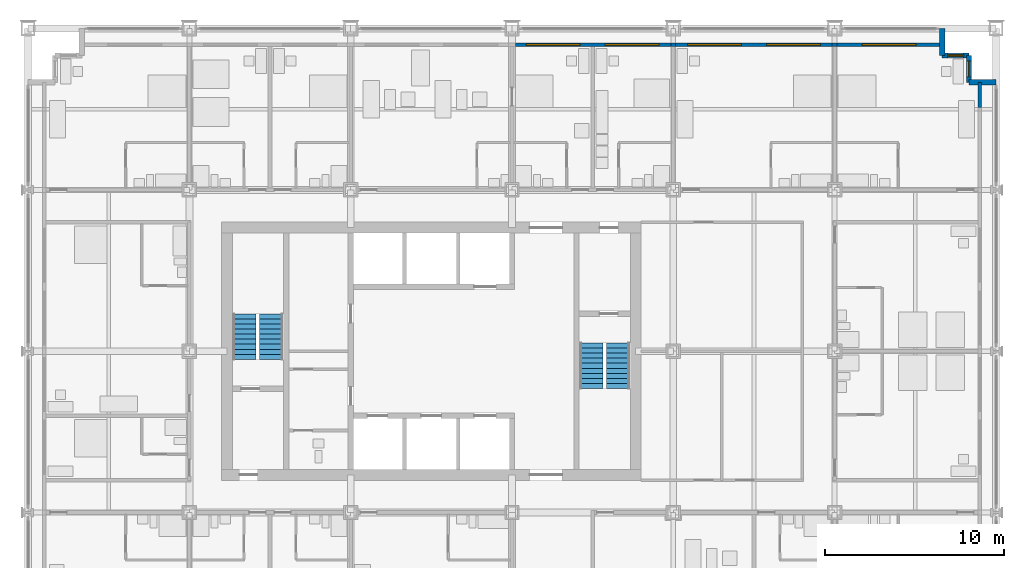
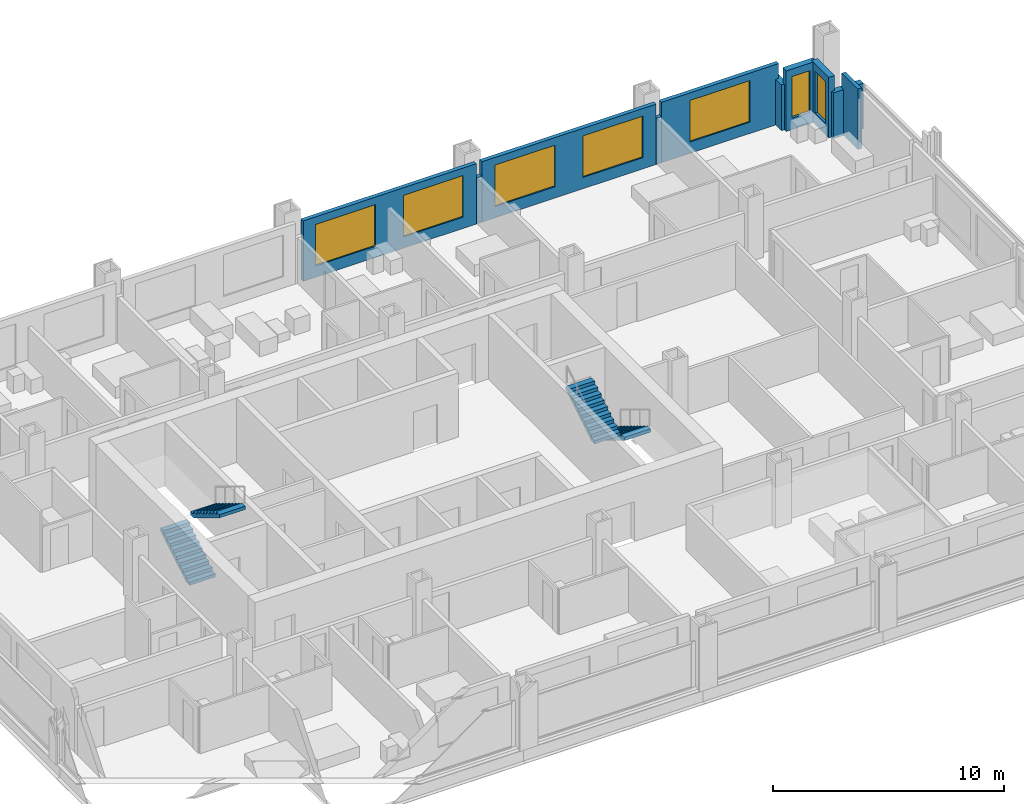
# One storey, part 15 of 18: 10 walls, 7 windows, 4 stair flights, 7 openings, 2 elements without a shape of their own.
"""IFC4 building model written with IfcOpenShell, lengths in metres."""

from ifc_helpers import new_model, si_unit, direction, frame, frame_2d, origin, place, context, subcontext, project, spatial, polyline, rectangle, outline, extrude, material, layer, layer_set, type_object, element, fill, aggregate, save


model = new_model("IFC4")

# Units and contexts
model_context = context("Model", 3, precision=1e-05, world=origin(), true_north=direction((0.0, 1.0)))
body_context = subcontext(model_context, "Body", "Model", "MODEL_VIEW")
ifc_project = project(units=[si_unit("LENGTHUNIT", "METRE"), si_unit("AREAUNIT", "SQUARE_METRE"), si_unit("VOLUMEUNIT", "CUBIC_METRE"), si_unit("PLANEANGLEUNIT", "RADIAN"), si_unit("MASSUNIT", "GRAM", prefix="KILO")], contexts=[model_context])

# Site, building, storey
site_placement = place(None, origin())
site = spatial("IfcSite", under=ifc_project, at=site_placement, CompositionType="ELEMENT")
building_placement = place(site_placement, origin())
building = spatial("IfcBuilding", under=site, at=building_placement, Name="Loomwork Tower", CompositionType="ELEMENT")
storey_placement = place(building_placement, frame((0.0, 0.0, 31.39990234375)))
storey = spatial("IfcBuildingStorey", under=building, at=storey_placement, Name="L06", CompositionType="ELEMENT", Elevation=31.39990234375)

# Wall, openings, windows
ifc_material_1 = material(Name="Insulated steel stud wall with gypsum lining", Category="steel")
ifc_layer_1 = layer(ifc_material_1, 0.199951171875)
ifc_layer_set_1 = layer_set([ifc_layer_1], Name="Inner skin wall 200")
wall_type_1 = type_object("IfcWallType", Name="Inner skin wall 200", PredefinedType="SOLIDWALL", material=ifc_layer_set_1)
wall_1_placement = place(storey_placement, frame((27.19384765625, 35.10009765625, 0.0), z_axis=(0.0, 0.0, 1.0), x_axis=(1.0, 0.0, 0.0)))
wall_1 = element("IfcWall", 1, at=wall_1_placement, inside=storey, type_object=wall_type_1, Name="Inner skin wall N bay 7", PredefinedType="SOLIDWALL", context=body_context, shape_type="SweptSolid", body=[
    extrude(rectangle(XDim=8.670654296875, YDim=0.199951171875, at=frame_2d((4.33544921875, 0.0))), origin(), (0.0, 0.0, 1.0), 3.2001953125),
])
opening_1_placement = place(wall_1_placement, frame((0.606201171875, 0.0, 0.60009765625)))
opening_1 = element("IfcOpeningElement", 2, at=opening_1_placement, cuts=wall_1, Name="Opening CH1", PredefinedType="OPENING", context=body_context, shape_type="SweptSolid", body=[
    extrude(rectangle(XDim=3.0, YDim=2.199951171875, at=frame_2d((1.5, 1.10009765625))), frame((0.0, 0.10986328125, 0.0), z_axis=(0.0, -1.0, 0.0), x_axis=(1.0, 0.0, 0.0)), (0.0, 0.0, 1.0), 0.219970703125),
])
opening_2_placement = place(wall_1_placement, frame((5.006103515625, 0.0, 0.60009765625)))
opening_2 = element("IfcOpeningElement", 3, at=opening_2_placement, cuts=wall_1, Name="Opening CH1", PredefinedType="OPENING", context=body_context, shape_type="SweptSolid", body=[
    extrude(rectangle(XDim=3.0, YDim=2.199951171875, at=frame_2d((1.5, 1.10009765625))), frame((0.0, 0.10986328125, 0.0), z_axis=(0.0, -1.0, 0.0), x_axis=(1.0, 0.0, 0.0)), (0.0, 0.0, 1.0), 0.219970703125),
])
ifc_material_2 = material(Name="Aluminium frame with clear insulated glass", Category="aluminium")
window_type_1 = type_object("IfcWindowType", Name="Chicago window 3000", PartitioningType="TRIPLE_PANEL_VERTICAL", PredefinedType="WINDOW", material=ifc_material_2)
window_1_placement = place(opening_1_placement, origin())
window_1 = element("IfcWindow", 4, at=window_1_placement, inside=storey, type_object=window_type_1, Name="Chicago window L06 bay 10", OverallHeight=2.199951171875, OverallWidth=3.0, PartitioningType="TRIPLE_PANEL_VERTICAL", PredefinedType="WINDOW", context=body_context, shape_type="SweptSolid", body=[
    extrude(rectangle(XDim=3.0, YDim=2.199951171875, at=frame_2d((1.5, 1.10009765625))), frame((0.0, 0.030029296875, 0.0), z_axis=(0.0, -1.0, 0.0), x_axis=(1.0, 0.0, 0.0)), (0.0, 0.0, 1.0), 0.06005859375),
])
fill(opening_1, window_1)
window_2_placement = place(opening_2_placement, origin())
window_2 = element("IfcWindow", 5, at=window_2_placement, inside=storey, type_object=window_type_1, Name="Chicago window L06 bay 10", OverallHeight=2.199951171875, OverallWidth=3.0, PartitioningType="TRIPLE_PANEL_VERTICAL", PredefinedType="WINDOW", context=body_context, shape_type="SweptSolid", body=[
    extrude(rectangle(XDim=3.0, YDim=2.199951171875, at=frame_2d((1.5, 1.10009765625))), frame((0.0, 0.030029296875, 0.0), z_axis=(0.0, -1.0, 0.0), x_axis=(1.0, 0.0, 0.0)), (0.0, 0.0, 1.0), 0.06005859375),
])
fill(opening_2, window_2)

# Wall
wall_2_placement = place(storey_placement, frame((35.864501953125, 35.10009765625, 0.0), z_axis=(0.0, 0.0, 1.0), x_axis=(1.0, 0.0, 0.0)))
element("IfcWall", 6, at=wall_2_placement, inside=storey, type_object=wall_type_1, Name="Inner skin wall N bay 8", PredefinedType="SOLIDWALL", context=body_context, shape_type="SweptSolid", body=[
    extrude(rectangle(XDim=0.27099609375, YDim=0.199951171875, at=frame_2d((0.135498046875, 0.0))), origin(), (0.0, 0.0, 1.0), 2.43798828125),
])

# Wall, openings, windows
wall_3_placement = place(storey_placement, frame((36.135498046875, 35.10009765625, 0.0), z_axis=(0.0, 0.0, 1.0), x_axis=(1.0, 0.0, 0.0)))
wall_3 = element("IfcWall", 7, at=wall_3_placement, inside=storey, type_object=wall_type_1, Name="Inner skin wall N bay 9", PredefinedType="SOLIDWALL", context=body_context, shape_type="SweptSolid", body=[
    extrude(rectangle(XDim=8.72900390625, YDim=0.199951171875, at=frame_2d((4.364501953125, 0.0))), origin(), (0.0, 0.0, 1.0), 3.2001953125),
])
opening_3_placement = place(wall_3_placement, frame((0.66455078125, 0.0, 0.60009765625)))
opening_3 = element("IfcOpeningElement", 8, at=opening_3_placement, cuts=wall_3, Name="Opening CH1", PredefinedType="OPENING", context=body_context, shape_type="SweptSolid", body=[
    extrude(rectangle(XDim=3.0, YDim=2.199951171875, at=frame_2d((1.5, 1.10009765625))), frame((0.0, 0.10986328125, 0.0), z_axis=(0.0, -1.0, 0.0), x_axis=(1.0, 0.0, 0.0)), (0.0, 0.0, 1.0), 0.219970703125),
])
opening_4_placement = place(wall_3_placement, frame((5.064697265625, 0.0, 0.60009765625)))
opening_4 = element("IfcOpeningElement", 9, at=opening_4_placement, cuts=wall_3, Name="Opening CH1", PredefinedType="OPENING", context=body_context, shape_type="SweptSolid", body=[
    extrude(rectangle(XDim=3.0, YDim=2.199951171875, at=frame_2d((1.5, 1.10009765625))), frame((0.0, 0.10986328125, 0.0), z_axis=(0.0, -1.0, 0.0), x_axis=(1.0, 0.0, 0.0)), (0.0, 0.0, 1.0), 0.219970703125),
])
window_3_placement = place(opening_3_placement, origin())
window_3 = element("IfcWindow", 10, at=window_3_placement, inside=storey, type_object=window_type_1, Name="Chicago window L06 bay 11", OverallHeight=2.199951171875, OverallWidth=3.0, PartitioningType="TRIPLE_PANEL_VERTICAL", PredefinedType="WINDOW", context=body_context, shape_type="SweptSolid", body=[
    extrude(rectangle(XDim=3.0, YDim=2.199951171875, at=frame_2d((1.5, 1.10009765625))), frame((0.0, 0.030029296875, 0.0), z_axis=(0.0, -1.0, 0.0), x_axis=(1.0, 0.0, 0.0)), (0.0, 0.0, 1.0), 0.06005859375),
])
fill(opening_3, window_3)
window_4_placement = place(opening_4_placement, origin())
window_4 = element("IfcWindow", 11, at=window_4_placement, inside=storey, type_object=window_type_1, Name="Chicago window L06 bay 11", OverallHeight=2.199951171875, OverallWidth=3.0, PartitioningType="TRIPLE_PANEL_VERTICAL", PredefinedType="WINDOW", context=body_context, shape_type="SweptSolid", body=[
    extrude(rectangle(XDim=3.0, YDim=2.199951171875, at=frame_2d((1.5, 1.10009765625))), frame((0.0, 0.030029296875, 0.0), z_axis=(0.0, -1.0, 0.0), x_axis=(1.0, 0.0, 0.0)), (0.0, 0.0, 1.0), 0.06005859375),
])
fill(opening_4, window_4)

# Wall
wall_4_placement = place(storey_placement, frame((44.864501953125, 35.10009765625, 0.0), z_axis=(0.0, 0.0, 1.0), x_axis=(1.0, 0.0, 0.0)))
element("IfcWall", 12, at=wall_4_placement, inside=storey, type_object=wall_type_1, Name="Inner skin wall N bay 10", PredefinedType="SOLIDWALL", context=body_context, shape_type="SweptSolid", body=[
    extrude(rectangle(XDim=0.27099609375, YDim=0.199951171875, at=frame_2d((0.135498046875, 0.0))), origin(), (0.0, 0.0, 1.0), 2.43798828125),
])

# Wall, opening, window
wall_5_placement = place(storey_placement, frame((45.135498046875, 35.10009765625, 0.0), z_axis=(0.0, 0.0, 1.0), x_axis=(1.0, 0.0, 0.0)))
wall_5 = element("IfcWall", 13, at=wall_5_placement, inside=storey, type_object=wall_type_1, Name="Inner skin wall N bay 11", PredefinedType="SOLIDWALL", context=body_context, shape_type="SweptSolid", body=[
    extrude(rectangle(XDim=5.864501953125, YDim=0.199951171875, at=frame_2d((2.93212890625, 0.0))), origin(), (0.0, 0.0, 1.0), 3.2001953125),
])
opening_5_placement = place(wall_5_placement, frame((1.41455078125, 0.0, 0.60009765625)))
opening_5 = element("IfcOpeningElement", 14, at=opening_5_placement, cuts=wall_5, Name="Opening CH1", PredefinedType="OPENING", context=body_context, shape_type="SweptSolid", body=[
    extrude(rectangle(XDim=3.0, YDim=2.199951171875, at=frame_2d((1.5, 1.10009765625))), frame((0.0, 0.10986328125, 0.0), z_axis=(0.0, -1.0, 0.0), x_axis=(1.0, 0.0, 0.0)), (0.0, 0.0, 1.0), 0.219970703125),
])
window_5_placement = place(opening_5_placement, origin())
window_5 = element("IfcWindow", 15, at=window_5_placement, inside=storey, type_object=window_type_1, Name="Chicago window L06 bay 12", OverallHeight=2.199951171875, OverallWidth=3.0, PartitioningType="TRIPLE_PANEL_VERTICAL", PredefinedType="WINDOW", context=body_context, shape_type="SweptSolid", body=[
    extrude(rectangle(XDim=3.0, YDim=2.199951171875, at=frame_2d((1.5, 1.10009765625))), frame((0.0, 0.030029296875, 0.0), z_axis=(0.0, -1.0, 0.0), x_axis=(1.0, 0.0, 0.0)), (0.0, 0.0, 1.0), 0.06005859375),
])
fill(opening_5, window_5)

# Walls
wall_6_placement = place(storey_placement, frame((53.10009765625, 31.607421875, 0.0), z_axis=(0.0, 0.0, 1.0), x_axis=(0.0, 1.0, 0.0)))
element("IfcWall", 16, at=wall_6_placement, inside=storey, type_object=wall_type_1, Name="Inner skin wall E bay 11", PredefinedType="SOLIDWALL", context=body_context, shape_type="SweptSolid", body=[
    extrude(rectangle(XDim=1.392578125, YDim=0.199951171875, at=frame_2d((0.6962890625, 0.0))), origin(), (0.0, 0.0, 1.0), 3.2001953125),
])
ifc_material_3 = material(Name="Limestone on concrete masonry", Category="masonry")
ifc_layer_2 = layer(ifc_material_3, 0.300048828125)
ifc_layer_set_2 = layer_set([ifc_layer_2], Name="Limestone corner wall 300")
wall_type_2 = type_object("IfcWallType", Name="Limestone corner wall 300", PredefinedType="SOLIDWALL", material=ifc_layer_set_2)
wall_7_placement = place(storey_placement, frame((54.0, 33.0, 0.0), z_axis=(0.0, 0.0, 1.0), x_axis=(-1.0, 0.0, 0.0)))
element("IfcWall", 17, at=wall_7_placement, inside=storey, type_object=wall_type_2, Name="Stone corner wall NE 1", PredefinedType="SOLIDWALL", context=body_context, shape_type="SweptSolid", body=[
    extrude(rectangle(XDim=1.5, YDim=0.300048828125, at=frame_2d((0.75, 0.0))), origin(), (0.0, 0.0, 1.0), 2.420166015625),
])

# Wall, opening, window
wall_8_placement = place(storey_placement, frame((52.5, 33.0, 0.0), z_axis=(0.0, 0.0, 1.0), x_axis=(0.0, 1.0, 0.0)))
wall_8 = element("IfcWall", 18, at=wall_8_placement, inside=storey, type_object=wall_type_2, Name="Stone corner wall NE 2", PredefinedType="SOLIDWALL", context=body_context, shape_type="SweptSolid", body=[
    extrude(rectangle(XDim=1.5, YDim=0.300048828125, at=frame_2d((0.75, 0.0))), origin(), (0.0, 0.0, 1.0), 3.2001953125),
])
opening_6_placement = place(wall_8_placement, frame((0.300048828125, 0.0, 0.60009765625)))
opening_6 = element("IfcOpeningElement", 19, at=opening_6_placement, cuts=wall_8, Name="Opening CH2", PredefinedType="OPENING", context=body_context, shape_type="SweptSolid", body=[
    extrude(rectangle(XDim=0.89990234375, YDim=2.199951171875, at=frame_2d((0.449951171875, 1.10009765625))), frame((0.0, 0.159912109375, 0.0), z_axis=(0.0, -1.0, 0.0), x_axis=(1.0, 0.0, 0.0)), (0.0, 0.0, 1.0), 0.320068359375),
])
ifc_material_4 = material(Name="Aluminium frame with clear insulated glass", Category="aluminium")
window_type_2 = type_object("IfcWindowType", Name="Corner window 900", PartitioningType="SINGLE_PANEL", PredefinedType="WINDOW", material=ifc_material_4)
window_6_placement = place(opening_6_placement, origin())
window_6 = element("IfcWindow", 20, at=window_6_placement, inside=storey, type_object=window_type_2, Name="Corner window NE", OverallHeight=2.199951171875, OverallWidth=0.89990234375, PartitioningType="SINGLE_PANEL", PredefinedType="WINDOW", context=body_context, shape_type="SweptSolid", body=[
    extrude(rectangle(XDim=0.89990234375, YDim=2.199951171875, at=frame_2d((0.449951171875, 1.10009765625))), frame((0.0, 0.030029296875, 0.0), z_axis=(0.0, -1.0, 0.0), x_axis=(1.0, 0.0, 0.0)), (0.0, 0.0, 1.0), 0.06005859375),
])
fill(opening_6, window_6)

wall_9_placement = place(storey_placement, frame((52.5, 34.5, 0.0), z_axis=(0.0, 0.0, 1.0), x_axis=(-1.0, 0.0, 0.0)))
wall_9 = element("IfcWall", 21, at=wall_9_placement, inside=storey, type_object=wall_type_2, Name="Stone corner wall NE 3", PredefinedType="SOLIDWALL", context=body_context, shape_type="SweptSolid", body=[
    extrude(rectangle(XDim=1.5, YDim=0.300048828125, at=frame_2d((0.75, 0.0))), origin(), (0.0, 0.0, 1.0), 3.2001953125),
])
opening_7_placement = place(wall_9_placement, frame((0.300048828125, 0.0, 0.60009765625)))
opening_7 = element("IfcOpeningElement", 22, at=opening_7_placement, cuts=wall_9, Name="Opening CH2", PredefinedType="OPENING", context=body_context, shape_type="SweptSolid", body=[
    extrude(rectangle(XDim=0.89990234375, YDim=2.199951171875, at=frame_2d((0.449951171875, 1.10009765625))), frame((0.0, 0.159912109375, 0.0), z_axis=(0.0, -1.0, 0.0), x_axis=(1.0, 0.0, 0.0)), (0.0, 0.0, 1.0), 0.320068359375),
])
window_7_placement = place(opening_7_placement, origin())
window_7 = element("IfcWindow", 23, at=window_7_placement, inside=storey, type_object=window_type_2, Name="Corner window NE", OverallHeight=2.199951171875, OverallWidth=0.89990234375, PartitioningType="SINGLE_PANEL", PredefinedType="WINDOW", context=body_context, shape_type="SweptSolid", body=[
    extrude(rectangle(XDim=0.89990234375, YDim=2.199951171875, at=frame_2d((0.449951171875, 1.10009765625))), frame((0.0, 0.030029296875, 0.0), z_axis=(0.0, -1.0, 0.0), x_axis=(1.0, 0.0, 0.0)), (0.0, 0.0, 1.0), 0.06005859375),
])
fill(opening_7, window_7)

# Wall
wall_10_placement = place(storey_placement, frame((51.0, 34.5, 0.0), z_axis=(0.0, 0.0, 1.0), x_axis=(0.0, 1.0, 0.0)))
element("IfcWall", 24, at=wall_10_placement, inside=storey, type_object=wall_type_2, Name="Stone corner wall NE 4", PredefinedType="SOLIDWALL", context=body_context, shape_type="SweptSolid", body=[
    extrude(rectangle(XDim=1.5, YDim=0.300048828125, at=frame_2d((0.75, 0.0))), origin(), (0.0, 0.0, 1.0), 2.420166015625),
])

# Stair, stair flights
ifc_material_5 = material(Name="Concrete 5000 psi (34 MPa) precast stair", Category="concrete")
stair_type_1 = type_object("IfcStairType", Name="Stair ST-A 20 risers 2850 wide", PredefinedType="HALF_TURN_STAIR", material=ifc_material_5)
stair_1_placement = place(storey_placement, origin())
stair_1 = element("IfcStair", 25, at=stair_1_placement, inside=storey, type_object=stair_type_1, Name="Stair A L06", PredefinedType="HALF_TURN_STAIR")
ifc_material_6 = material(Name="Concrete 5000 psi (34 MPa) precast stair", Category="concrete")
stair_flight_type_1 = type_object("IfcStairFlightType", Name="Stair flight ST-A 10 risers 1300 wide", PredefinedType="STRAIGHT", material=ifc_material_6)
stair_flight_1_placement = place(storey_placement, frame((12.074951171875, 17.550048828125, 0.0), z_axis=(0.0, 0.0, 1.0), x_axis=(0.0, 1.0, 0.0)))
stair_flight_1 = element("IfcStairFlight", 26, at=stair_flight_1_placement, type_object=stair_flight_type_1, Name="ST-A flight 1", NumberOfRisers=10, NumberOfTreads=9, PredefinedType="STRAIGHT", RiserHeight=0.17, TreadLength=0.28, context=body_context, shape_type="SweptSolid", body=[
    extrude(outline(polyline([(0.0, 0.0), (0.0, 0.169921875), (0.280029296875, 0.169921875), (0.280029296875, 0.340087890625), (0.56005859375, 0.340087890625), (0.56005859375, 0.510009765625), (0.840087890625, 0.510009765625), (0.840087890625, 0.679931640625), (1.1201171875, 0.679931640625), (1.1201171875, 0.85009765625), (1.39990234375, 0.85009765625), (1.39990234375, 1.02001953125), (1.679931640625, 1.02001953125), (1.679931640625, 1.18994140625), (1.9599609375, 1.18994140625), (1.9599609375, 1.360107421875), (2.239990234375, 1.360107421875), (2.239990234375, 1.530029296875), (2.52001953125, 1.530029296875), (2.52001953125, 1.699951171875), (2.52001953125, 1.354736328125), (0.288818359375, 0.0), (0.0, 0.0)])), frame((0.0, 0.64990234375, 0.0), z_axis=(0.0, -1.0, 0.0), x_axis=(1.0, 0.0, 0.0)), (0.0, 0.0, 1.0), 1.300048828125),
])
stair_flight_2_placement = place(storey_placement, frame((13.574951171875, 20.070068359375, 1.7001953125), z_axis=(0.0, 0.0, 1.0), x_axis=(0.0, -1.0, 0.0)))
stair_flight_2 = element("IfcStairFlight", 27, at=stair_flight_2_placement, type_object=stair_flight_type_1, Name="ST-A flight 2", NumberOfRisers=10, NumberOfTreads=9, PredefinedType="STRAIGHT", RiserHeight=0.17, TreadLength=0.28, context=body_context, shape_type="SweptSolid", body=[
    extrude(outline(polyline([(0.0, 0.0), (0.0, 0.169921875), (0.280029296875, 0.169921875), (0.280029296875, 0.340087890625), (0.56005859375, 0.340087890625), (0.56005859375, 0.510009765625), (0.840087890625, 0.510009765625), (0.840087890625, 0.679931640625), (1.1201171875, 0.679931640625), (1.1201171875, 0.85009765625), (1.39990234375, 0.85009765625), (1.39990234375, 1.02001953125), (1.679931640625, 1.02001953125), (1.679931640625, 1.18994140625), (1.9599609375, 1.18994140625), (1.9599609375, 1.360107421875), (2.239990234375, 1.360107421875), (2.239990234375, 1.530029296875), (2.52001953125, 1.530029296875), (2.52001953125, 1.699951171875), (2.52001953125, 1.354736328125), (0.288818359375, 0.0), (0.0, 0.0)])), frame((0.0, 0.64990234375, 0.0), z_axis=(0.0, -1.0, 0.0), x_axis=(1.0, 0.0, 0.0)), (0.0, 0.0, 1.0), 1.300048828125),
])
aggregate(stair_1, [stair_flight_1, stair_flight_2])

ifc_material_7 = material(Name="Concrete 5000 psi (34 MPa) precast stair", Category="concrete")
stair_type_2 = type_object("IfcStairType", Name="Stair ST-B 20 risers 2850 wide", PredefinedType="HALF_TURN_STAIR", material=ifc_material_7)
stair_2_placement = place(storey_placement, origin())
stair_2 = element("IfcStair", 28, at=stair_2_placement, inside=storey, type_object=stair_type_2, Name="Stair B L06", PredefinedType="HALF_TURN_STAIR")
ifc_material_8 = material(Name="Concrete 5000 psi (34 MPa) precast stair", Category="concrete")
stair_flight_type_2 = type_object("IfcStairFlightType", Name="Stair flight ST-B 10 risers 1300 wide", PredefinedType="STRAIGHT", material=ifc_material_8)
stair_flight_3_placement = place(storey_placement, frame((32.925048828125, 18.449951171875, 0.0), z_axis=(0.0, 0.0, 1.0), x_axis=(0.0, -1.0, 0.0)))
stair_flight_3 = element("IfcStairFlight", 29, at=stair_flight_3_placement, type_object=stair_flight_type_2, Name="ST-B flight 1", NumberOfRisers=10, NumberOfTreads=9, PredefinedType="STRAIGHT", RiserHeight=0.17, TreadLength=0.28, context=body_context, shape_type="SweptSolid", body=[
    extrude(outline(polyline([(0.0, 0.0), (0.0, 0.169921875), (0.280029296875, 0.169921875), (0.280029296875, 0.340087890625), (0.56005859375, 0.340087890625), (0.56005859375, 0.510009765625), (0.840087890625, 0.510009765625), (0.840087890625, 0.679931640625), (1.1201171875, 0.679931640625), (1.1201171875, 0.85009765625), (1.39990234375, 0.85009765625), (1.39990234375, 1.02001953125), (1.679931640625, 1.02001953125), (1.679931640625, 1.18994140625), (1.9599609375, 1.18994140625), (1.9599609375, 1.360107421875), (2.239990234375, 1.360107421875), (2.239990234375, 1.530029296875), (2.52001953125, 1.530029296875), (2.52001953125, 1.699951171875), (2.52001953125, 1.354736328125), (0.288818359375, 0.0), (0.0, 0.0)])), frame((0.0, 0.64990234375, 0.0), z_axis=(0.0, -1.0, 0.0), x_axis=(1.0, 0.0, 0.0)), (0.0, 0.0, 1.0), 1.300048828125),
])
stair_flight_4_placement = place(storey_placement, frame((31.425048828125, 15.929931640625, 1.7001953125), z_axis=(0.0, 0.0, 1.0), x_axis=(0.0, 1.0, 0.0)))
stair_flight_4 = element("IfcStairFlight", 30, at=stair_flight_4_placement, type_object=stair_flight_type_2, Name="ST-B flight 2", NumberOfRisers=10, NumberOfTreads=9, PredefinedType="STRAIGHT", RiserHeight=0.17, TreadLength=0.28, context=body_context, shape_type="SweptSolid", body=[
    extrude(outline(polyline([(0.0, 0.0), (0.0, 0.169921875), (0.280029296875, 0.169921875), (0.280029296875, 0.340087890625), (0.56005859375, 0.340087890625), (0.56005859375, 0.510009765625), (0.840087890625, 0.510009765625), (0.840087890625, 0.679931640625), (1.1201171875, 0.679931640625), (1.1201171875, 0.85009765625), (1.39990234375, 0.85009765625), (1.39990234375, 1.02001953125), (1.679931640625, 1.02001953125), (1.679931640625, 1.18994140625), (1.9599609375, 1.18994140625), (1.9599609375, 1.360107421875), (2.239990234375, 1.360107421875), (2.239990234375, 1.530029296875), (2.52001953125, 1.530029296875), (2.52001953125, 1.699951171875), (2.52001953125, 1.354736328125), (0.288818359375, 0.0), (0.0, 0.0)])), frame((0.0, 0.64990234375, 0.0), z_axis=(0.0, -1.0, 0.0), x_axis=(1.0, 0.0, 0.0)), (0.0, 0.0, 1.0), 1.300048828125),
])
aggregate(stair_2, [stair_flight_3, stair_flight_4])

save(model, "model.ifc")
